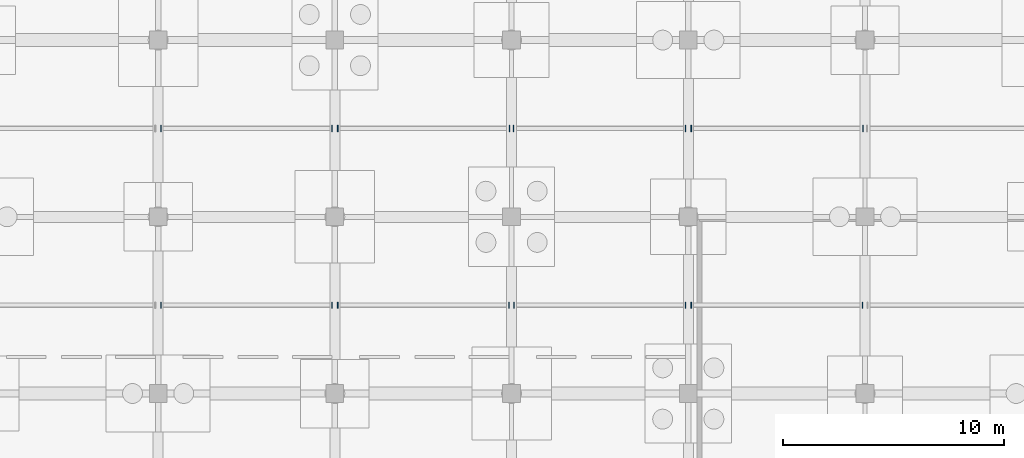
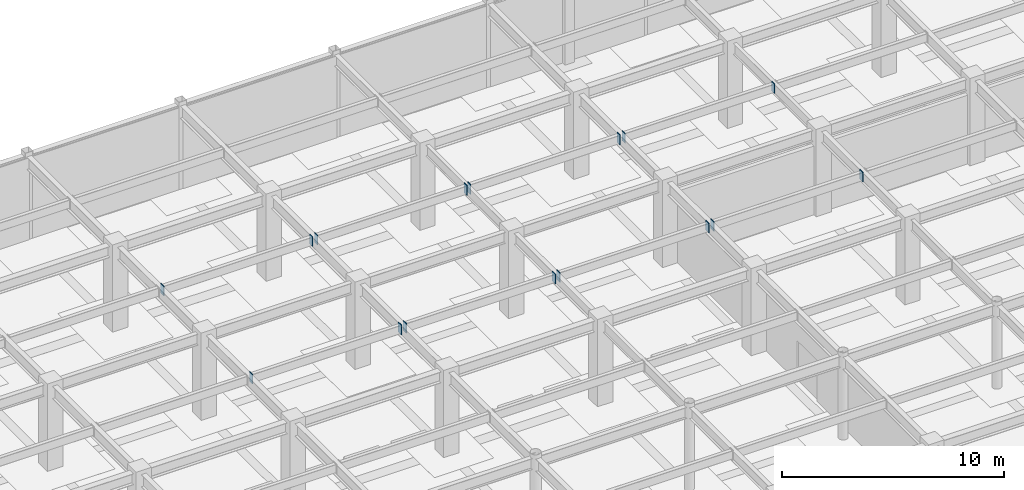
# One storey, part 84 of 105: 16 discrete accessories.
"""IFC4 building model written with IfcOpenShell, lengths in metres."""

from ifc_helpers import new_model, si_unit, direction, frame, origin, origin_2d, place, context, subcontext, project, spatial, rectangle, extrude, material, layer, layer_set, type_object, element, save


model = new_model("IFC4")

# Units and contexts
model_context = context("Model", 3, precision=1e-05, world=origin(), true_north=direction((0.0, 1.0)))
body_context = subcontext(model_context, "Body", "Model", "MODEL_VIEW")
ifc_project = project(units=[si_unit("LENGTHUNIT", "METRE"), si_unit("AREAUNIT", "SQUARE_METRE"), si_unit("VOLUMEUNIT", "CUBIC_METRE"), si_unit("PLANEANGLEUNIT", "RADIAN"), si_unit("MASSUNIT", "GRAM", prefix="KILO")], contexts=[model_context])

# Site, building, storey
site_placement = place(None, origin())
site = spatial("IfcSite", under=ifc_project, at=site_placement, CompositionType="ELEMENT")
building_placement = place(site_placement, origin())
building = spatial("IfcBuilding", under=site, at=building_placement, Name="Solmirada Galleria", CompositionType="ELEMENT")
storey_placement = place(building_placement, frame((0.0, 0.0, -4.800048828125)))
storey = spatial("IfcBuildingStorey", under=building, at=storey_placement, Name="B1", CompositionType="ELEMENT", Elevation=-4.800048828125)

# Discrete accessories
ifc_material = material(Name="Steel S355 / ASTM A572 Grade 50", Category="steel")
ifc_layer = layer(ifc_material, 0.031982421875)
ifc_layer_set = layer_set([ifc_layer], Name="Steel S355 / ASTM A572 Grade 50")
discrete_accessory_type = type_object("IfcDiscreteAccessoryType", Name="ACC-COL-CAP", PredefinedType="BRACKET", material=ifc_layer_set)
for number, where, z_axis, x_axis, name in (
    (1, (72.1279296875, 100.0, 4.08154296875), (0.0, 0.0, 1.0), (1.0, 0.0, 0.0), "Hollow joist end plate L00-10-13-L"),
    (2, (79.873046875, 100.0, 4.08154296875), (0.0, 0.0, 1.0), (1.0, 0.0, 0.0), "Hollow joist end plate L00-10-13-R"),
    (3, (72.1279296875, 108.0, 4.08154296875), (0.0, 0.0, 1.0), (1.0, 0.0, 0.0), "Hollow joist end plate L00-10-14-L"),
    (4, (79.873046875, 108.0, 4.08154296875), (0.0, 0.0, 1.0), (1.0, 0.0, 0.0), "Hollow joist end plate L00-10-14-R"),
    (5, (80.126953125, 100.0, 4.08154296875), (0.0, 0.0, 1.0), (1.0, 0.0, 0.0), "Hollow joist end plate L00-11-13-L"),
    (6, (87.885986328125, 100.0, 4.08154296875), (0.0, 0.0, 1.0), (1.0, 0.0, 0.0), "Hollow joist end plate L00-11-13-R"),
    (7, (80.126953125, 108.0, 4.08154296875), (0.0, 0.0, 1.0), (1.0, 0.0, 0.0), "Hollow joist end plate L00-11-14-L"),
    (8, (87.910888671875, 108.0, 4.08154296875), (0.0, 0.0, 1.0), (1.0, 0.0, 0.0), "Hollow joist end plate L00-11-14-R"),
    (9, (88.114013671875, 100.0, 4.08154296875), (0.0, 0.0, 1.0), (1.0, 0.0, 0.0), "Hollow joist end plate L00-12-13-L"),
    (10, (95.8720703125, 100.0, 4.08154296875), (0.0, 0.0, 1.0), (1.0, 0.0, 0.0), "Hollow joist end plate L00-12-13-R"),
    (11, (88.089111328125, 108.0, 4.08154296875), (0.0, 0.0, 1.0), (1.0, 0.0, 0.0), "Hollow joist end plate L00-12-14-L"),
    (12, (95.8720703125, 108.0, 4.08154296875), (0.0, 0.0, 1.0), (1.0, 0.0, 0.0), "Hollow joist end plate L00-12-14-R"),
    (13, (96.1279296875, 100.0, 4.08154296875), (0.0, 0.0, 1.0), (1.0, 0.0, 0.0), "Hollow joist end plate L00-13-13-L"),
    (14, (103.885986328125, 100.0, 4.08154296875), (0.0, 0.0, 1.0), (1.0, 0.0, 0.0), "Hollow joist end plate L00-13-13-R"),
    (15, (96.1279296875, 108.0, 4.08154296875), (0.0, 0.0, 1.0), (1.0, 0.0, 0.0), "Hollow joist end plate L00-13-14-L"),
    (16, (103.910888671875, 108.0, 4.08154296875), (0.0, 0.0, 1.0), (1.0, 0.0, 0.0), "Hollow joist end plate L00-13-14-R"),
):
    element("IfcDiscreteAccessory", number, at=place(storey_placement, frame(where, z_axis=z_axis, x_axis=x_axis)), inside=storey, type_object=discrete_accessory_type, Name=name, PredefinedType="BRACKET", context=body_context, shape_type="SweptSolid", body=[
        extrude(rectangle(XDim=0.035888671875, YDim=0.280029296875, at=origin_2d()), origin(), (0.0, 0.0, 1.0), 0.5400390625),
    ])

save(model, "model.ifc")
